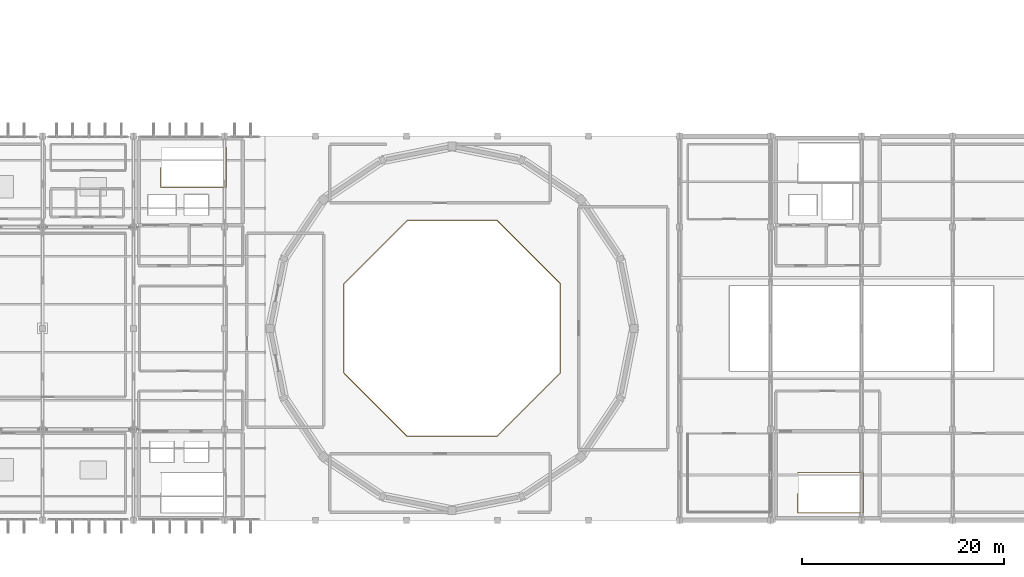
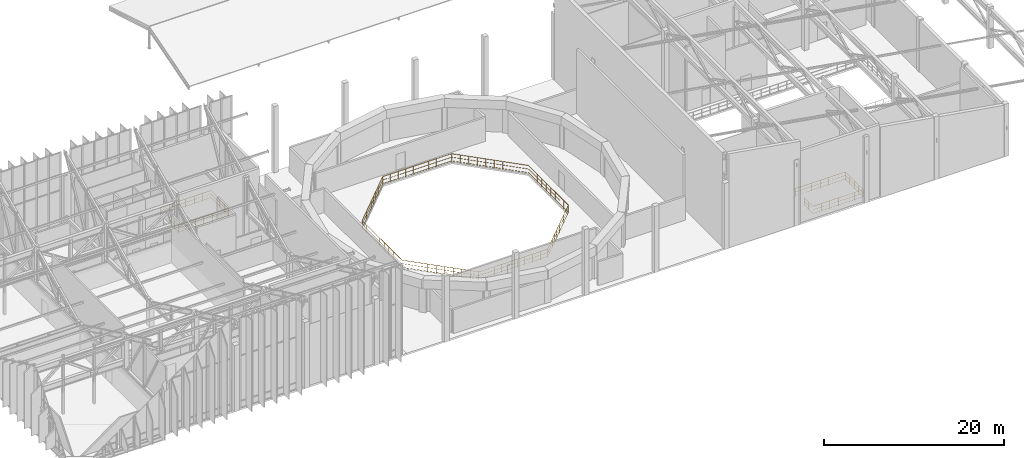
# One storey, part 67 of 68: 3 railings.
"""IFC4 building model written with IfcOpenShell, lengths in metres."""

import ifcopenshell
import ifcopenshell.guid

model = None  # the IFC model being written
_history = None  # IfcOwnerHistory: only IFC2X3 demands one
_inside = {}  # id of a spatial element -> (the spatial element, [elements in it])
_under = {}  # id of a project, library or spatial element -> (it, [spatial elements below it])
_declared = {}  # id of a project -> (the project, [libraries it declares])
_typed = {}  # id of a type object -> (the type object, [elements of that type])
_made_of = {}  # id of a material, layer set ... -> (it, [elements and type objects made of it])


def new_model(schema):
    """Start an empty IFC model of exactly this schema.

    Asked for "IFC4X3", IfcOpenShell would pick the latest addendum, in which some entities
    have other attributes; the version numbers below select the first issue.
    IFC2X3 requires an IfcOwnerHistory on every rooted entity: one is made here for all.
    """
    global model, _history
    if schema == "IFC4X3":
        model = ifcopenshell.file(schema_version=(4, 3, 0, 0))
    else:
        model = ifcopenshell.file(schema=schema)
    _inside.clear()
    _under.clear()
    _declared.clear()
    _typed.clear()
    _made_of.clear()
    _history = None
    if model.schema == "IFC2X3":
        org = make("IfcOrganization", Name="unknown")
        user = make(
            "IfcPersonAndOrganization",
            ThePerson=make("IfcPerson", FamilyName="unknown"),
            TheOrganization=org,
        )
        app = make(
            "IfcApplication",
            ApplicationDeveloper=org,
            Version="unknown",
            ApplicationFullName="unknown",
            ApplicationIdentifier="unknown",
        )
        _history = make(
            "IfcOwnerHistory",
            OwningUser=user,
            OwningApplication=app,
            ChangeAction="ADDED",
            CreationDate=0,
        )
    return model


def make(cls, **values):
    """One entity of the class cls with the attributes given. An attribute that is None is left unset."""
    return model.create_entity(
        cls, **{name: value for name, value in values.items() if value is not None}
    )


def rooted(cls, **values):
    """An entity with a GlobalId (a new one), such as an element, a storey or a relation."""
    return make(cls, GlobalId=ifcopenshell.guid.new(), OwnerHistory=_history, **values)


def si_unit(unit_type, name, prefix=None):
    """IfcSIUnit, for example si_unit("LENGTHUNIT", "METRE", prefix="MILLI")."""
    return make("IfcSIUnit", UnitType=unit_type, Prefix=prefix, Name=name)


def assignment(units):
    """IfcUnitAssignment: the units of a project."""
    return None if units is None else make("IfcUnitAssignment", Units=units)


def point(xyz):
    """IfcCartesianPoint."""
    return None if xyz is None else make("IfcCartesianPoint", Coordinates=xyz)


def direction(xyz):
    """IfcDirection."""
    return None if xyz is None else make("IfcDirection", DirectionRatios=xyz)


def frame(location, z_axis=None, x_axis=None):
    """IfcAxis2Placement3D, a coordinate frame: its origin and axes. An axis left out is left unset."""
    return make(
        "IfcAxis2Placement3D",
        Location=point(location),
        Axis=direction(z_axis),
        RefDirection=direction(x_axis),
    )


def frame_2d(location, x_axis=None):
    """IfcAxis2Placement2D, a coordinate frame in the plane: its origin and x axis."""
    return make(
        "IfcAxis2Placement2D", Location=point(location), RefDirection=direction(x_axis)
    )


def origin():
    """The frame at (0, 0, 0) with its axes left unset."""
    return frame((0.0, 0.0, 0.0))


def origin_2d():
    """The frame at (0, 0) in the plane with its x axis left unset."""
    return frame_2d((0.0, 0.0))


def place(relative_to, where):
    """IfcLocalPlacement: puts the frame where relative to a parent placement (None: the world)."""
    return make(
        "IfcLocalPlacement", PlacementRelTo=relative_to, RelativePlacement=where
    )


def context(
    kind, dimensions, precision=None, world=None, true_north=None, identifier=None
):
    """IfcGeometricRepresentationContext, for example the 3D "Model" context."""
    return make(
        "IfcGeometricRepresentationContext",
        ContextIdentifier=identifier,
        ContextType=kind,
        CoordinateSpaceDimension=dimensions,
        Precision=precision,
        WorldCoordinateSystem=world,
        TrueNorth=true_north,
    )


def subcontext(parent, identifier, kind, view, scale=None):
    """IfcGeometricRepresentationSubContext, for example "Body" below "Model"."""
    return make(
        "IfcGeometricRepresentationSubContext",
        ContextIdentifier=identifier,
        ContextType=kind,
        ParentContext=parent,
        TargetScale=scale,
        TargetView=view,
    )


def project(units=None, contexts=None):
    """IfcProject with its units and contexts."""
    return rooted(
        "IfcProject",
        Name="project",
        RepresentationContexts=contexts,
        UnitsInContext=assignment(units),
    )


def spatial(cls, under=None, at=None, **own):
    """A site, building, storey or space (cls), placed at a placement, below another one or the project."""
    s = rooted(cls, ObjectPlacement=at, **own)
    if under is not None:
        _under.setdefault(under.id(), (under, []))[1].append(s)
    return s


def profile(cls, at=None, kind="AREA", **sizes):
    """A parametric profile (cls). Its sizes go by their IFC names, for example OverallWidth=200.0."""
    return make(cls, ProfileType=kind, Position=at, **sizes)


def circle(**sizes):
    """IfcCircleProfileDef."""
    return profile("IfcCircleProfileDef", **sizes)


def extrude(swept, where, along, depth):
    """IfcExtrudedAreaSolid: the profile swept, set in the frame where, extruded along a direction by depth."""
    return make(
        "IfcExtrudedAreaSolid",
        SweptArea=swept,
        Position=where,
        ExtrudedDirection=direction(along),
        Depth=depth,
    )


def shape(context_of_items, identifier, shape_type, items):
    """IfcShapeRepresentation: the items that make up one representation, for example the "Body"."""
    return make(
        "IfcShapeRepresentation",
        ContextOfItems=context_of_items,
        RepresentationIdentifier=identifier,
        RepresentationType=shape_type,
        Items=items,
    )


def material(Name=None, Category=None):
    """IfcMaterial."""
    return make("IfcMaterial", Name=Name, Category=Category)


def made_of(thing, what):
    """Note that an element or type object is made of a material, layer set ...; save() writes the relation."""
    if what is not None:
        _made_of.setdefault(what.id(), (what, []))[1].append(thing)
    return thing


def type_object(cls, material=None, **own):
    """A type object (cls), such as IfcWallType, which elements share."""
    return made_of(rooted(cls, **own), material)


def element(
    cls,
    number,
    at=None,
    inside=None,
    cuts=None,
    type_object=None,
    material=None,
    context=None,
    identifier="Body",
    shape_type=None,
    held_by="IfcProductDefinitionShape",
    body=None,
    shapes=None,
    **own,
):
    """One element of the class cls, such as IfcWall. Its Tag is "e" and its number.

    at: its placement. inside: the storey or other place that contains it. cuts: it is an
    opening in that element (IfcRelVoidsElement). A single representation is given by context,
    identifier, shape_type and body (its items); several are given by shapes. held_by: the class
    of the entity that holds the representations. save() writes the other relations.
    """
    e = rooted(cls, Tag="e%d" % number, ObjectPlacement=at, **own)
    if body is not None:
        shapes = [shape(context, identifier, shape_type, body)]
    if shapes is not None:
        e.Representation = make(held_by, Representations=shapes)
    if inside is not None:
        _inside.setdefault(inside.id(), (inside, []))[1].append(e)
    if cuts is not None:
        rooted(
            "IfcRelVoidsElement", RelatingBuildingElement=cuts, RelatedOpeningElement=e
        )
    if type_object is not None:
        _typed.setdefault(type_object.id(), (type_object, []))[1].append(e)
    return made_of(e, material)


def aggregate(whole, parts):
    """IfcRelAggregates: a whole, such as a stair, and the parts it consists of."""
    return rooted("IfcRelAggregates", RelatingObject=whole, RelatedObjects=parts)


def save(model, path):
    """Write the relations noted so far, then the file.

    IfcRelAggregates (storeys below a building ...), IfcRelContainedInSpatialStructure (elements
    in a storey), IfcRelDefinesByType, IfcRelAssociatesMaterial and IfcRelDeclares: one each for
    every whole, place, type object, material and project.
    """
    for whole, parts in _under.values():
        aggregate(whole, parts)
    for where, things in _inside.values():
        rooted(
            "IfcRelContainedInSpatialStructure",
            RelatedElements=things,
            RelatingStructure=where,
        )
    for kind, things in _typed.values():
        rooted("IfcRelDefinesByType", RelatedObjects=things, RelatingType=kind)
    for what, things in _made_of.values():
        rooted("IfcRelAssociatesMaterial", RelatedObjects=things, RelatingMaterial=what)
    for by, libraries in _declared.values():
        rooted("IfcRelDeclares", RelatingContext=by, RelatedDefinitions=libraries)
    model.write(path)


model = new_model("IFC4")

# Units and contexts
model_context = context("Model", 3, precision=1e-05, world=origin(), true_north=direction((0.0, 1.0)))
body_context = subcontext(model_context, "Body", "Model", "MODEL_VIEW")
ifc_project = project(units=[si_unit("LENGTHUNIT", "METRE"), si_unit("AREAUNIT", "SQUARE_METRE"), si_unit("VOLUMEUNIT", "CUBIC_METRE"), si_unit("PLANEANGLEUNIT", "RADIAN"), si_unit("MASSUNIT", "GRAM", prefix="KILO")], contexts=[model_context])

# Site, building, storey
site_placement = place(None, origin())
site = spatial("IfcSite", under=ifc_project, at=site_placement, CompositionType="ELEMENT")
building_placement = place(site_placement, origin())
building = spatial("IfcBuilding", under=site, at=building_placement, Name="Miravela Opera House", CompositionType="ELEMENT")
storey_placement = place(building_placement, frame((0.0, 0.0, 21.760009765625)))
storey = spatial("IfcBuildingStorey", under=building, at=storey_placement, Name="L05", CompositionType="ELEMENT", Elevation=21.760009765625)

# Railings
ifc_material_1 = material(Name="Gilded bronze auditorium tier balustrade")
railing_type_1 = type_object("IfcRailingType", Name="ARC-RAIL-BOWL-BAL", PredefinedType="BALUSTRADE", material=ifc_material_1)
railing_1_placement = place(storey_placement, frame((87.198486328125, 60.431396484375, 0.0)))
element("IfcRailing", 1, at=railing_1_placement, inside=storey, type_object=railing_type_1, Name="L05 Void Perimeter Balustrade 0170", PredefinedType="BALUSTRADE", context=body_context, shape_type="SweptSolid", body=[
    extrude(circle(Radius=0.02490234375, at=origin_2d()), frame((0.0, 0.0, 1.09521484375), z_axis=(-0.707106781187, 0.707106781187, 0.0), x_axis=(-0.707106781187, -0.707106781187, 0.0)), (0.0, 0.0, 1.0), 8.863037109375),
    extrude(circle(Radius=0.01611328125, at=origin_2d()), frame((0.0, 0.0, 0.615966796875), z_axis=(-0.707106781187, 0.707106781187, 0.0), x_axis=(-0.707106781187, -0.707106781187, 0.0)), (0.0, 0.0, 1.0), 8.863037109375),
    extrude(circle(Radius=0.01611328125, at=origin_2d()), frame((0.0, 0.0, 0.1201171875), z_axis=(-0.707106781187, 0.707106781187, 0.0), x_axis=(-0.707106781187, -0.707106781187, 0.0)), (0.0, 0.0, 1.0), 8.863037109375),
    extrude(circle(Radius=0.02490234375, at=origin_2d()), frame((-6.26708984375, 6.26708984375, 1.09521484375), z_axis=(-1.0, 0.0, 0.0), x_axis=(0.0, -1.0, 0.0)), (0.0, 0.0, 1.0), 8.86279296875),
    extrude(circle(Radius=0.01611328125, at=origin_2d()), frame((-6.26708984375, 6.26708984375, 0.615966796875), z_axis=(-1.0, 0.0, 0.0), x_axis=(0.0, -1.0, 0.0)), (0.0, 0.0, 1.0), 8.86279296875),
    extrude(circle(Radius=0.01611328125, at=origin_2d()), frame((-6.26708984375, 6.26708984375, 0.1201171875), z_axis=(-1.0, 0.0, 0.0), x_axis=(0.0, -1.0, 0.0)), (0.0, 0.0, 1.0), 8.86279296875),
    extrude(circle(Radius=0.02490234375, at=origin_2d()), frame((-15.1298828125, 6.26708984375, 1.09521484375), z_axis=(-0.707106781187, -0.707106781187, 0.0), x_axis=(0.707106781187, -0.707106781187, 0.0)), (0.0, 0.0, 1.0), 8.863037109375),
    extrude(circle(Radius=0.01611328125, at=origin_2d()), frame((-15.1298828125, 6.26708984375, 0.615966796875), z_axis=(-0.707106781187, -0.707106781187, 0.0), x_axis=(0.707106781187, -0.707106781187, 0.0)), (0.0, 0.0, 1.0), 8.863037109375),
    extrude(circle(Radius=0.01611328125, at=origin_2d()), frame((-15.1298828125, 6.26708984375, 0.1201171875), z_axis=(-0.707106781187, -0.707106781187, 0.0), x_axis=(0.707106781187, -0.707106781187, 0.0)), (0.0, 0.0, 1.0), 8.863037109375),
    extrude(circle(Radius=0.02490234375, at=origin_2d()), frame((-21.39697265625, 0.0, 1.09521484375), z_axis=(0.0, -1.0, 0.0), x_axis=(1.0, 0.0, 0.0)), (0.0, 0.0, 1.0), 8.86279296875),
    extrude(circle(Radius=0.01611328125, at=origin_2d()), frame((-21.39697265625, 0.0, 0.615966796875), z_axis=(0.0, -1.0, 0.0), x_axis=(1.0, 0.0, 0.0)), (0.0, 0.0, 1.0), 8.86279296875),
    extrude(circle(Radius=0.01611328125, at=origin_2d()), frame((-21.39697265625, 0.0, 0.1201171875), z_axis=(0.0, -1.0, 0.0), x_axis=(1.0, 0.0, 0.0)), (0.0, 0.0, 1.0), 8.86279296875),
    extrude(circle(Radius=0.02490234375, at=origin_2d()), frame((-21.39697265625, -8.86279296875, 1.09521484375), z_axis=(0.707106781187, -0.707106781187, 0.0), x_axis=(0.707106781187, 0.707106781187, 0.0)), (0.0, 0.0, 1.0), 8.863037109375),
    extrude(circle(Radius=0.01611328125, at=origin_2d()), frame((-21.39697265625, -8.86279296875, 0.615966796875), z_axis=(0.707106781187, -0.707106781187, 0.0), x_axis=(0.707106781187, 0.707106781187, 0.0)), (0.0, 0.0, 1.0), 8.863037109375),
    extrude(circle(Radius=0.01611328125, at=origin_2d()), frame((-21.39697265625, -8.86279296875, 0.1201171875), z_axis=(0.707106781187, -0.707106781187, 0.0), x_axis=(0.707106781187, 0.707106781187, 0.0)), (0.0, 0.0, 1.0), 8.863037109375),
    extrude(circle(Radius=0.02490234375, at=origin_2d()), frame((-15.1298828125, -15.1298828125, 1.09521484375), z_axis=(1.0, 0.0, 0.0), x_axis=(0.0, 1.0, 0.0)), (0.0, 0.0, 1.0), 8.86279296875),
    extrude(circle(Radius=0.01611328125, at=origin_2d()), frame((-15.1298828125, -15.1298828125, 0.615966796875), z_axis=(1.0, 0.0, 0.0), x_axis=(0.0, 1.0, 0.0)), (0.0, 0.0, 1.0), 8.86279296875),
    extrude(circle(Radius=0.01611328125, at=origin_2d()), frame((-15.1298828125, -15.1298828125, 0.1201171875), z_axis=(1.0, 0.0, 0.0), x_axis=(0.0, 1.0, 0.0)), (0.0, 0.0, 1.0), 8.86279296875),
    extrude(circle(Radius=0.02490234375, at=origin_2d()), frame((-6.26708984375, -15.1298828125, 1.09521484375), z_axis=(0.707106781187, 0.707106781187, 0.0), x_axis=(-0.707106781187, 0.707106781187, 0.0)), (0.0, 0.0, 1.0), 8.863037109375),
    extrude(circle(Radius=0.01611328125, at=origin_2d()), frame((-6.26708984375, -15.1298828125, 0.615966796875), z_axis=(0.707106781187, 0.707106781187, 0.0), x_axis=(-0.707106781187, 0.707106781187, 0.0)), (0.0, 0.0, 1.0), 8.863037109375),
    extrude(circle(Radius=0.01611328125, at=origin_2d()), frame((-6.26708984375, -15.1298828125, 0.1201171875), z_axis=(0.707106781187, 0.707106781187, 0.0), x_axis=(-0.707106781187, 0.707106781187, 0.0)), (0.0, 0.0, 1.0), 8.863037109375),
    extrude(circle(Radius=0.02490234375, at=origin_2d()), frame((0.0, -8.86279296875, 1.09521484375), z_axis=(0.0, 1.0, 0.0), x_axis=(-1.0, 0.0, 0.0)), (0.0, 0.0, 1.0), 8.86279296875),
    extrude(circle(Radius=0.01611328125, at=origin_2d()), frame((0.0, -8.86279296875, 0.615966796875), z_axis=(0.0, 1.0, 0.0), x_axis=(-1.0, 0.0, 0.0)), (0.0, 0.0, 1.0), 8.86279296875),
    extrude(circle(Radius=0.01611328125, at=origin_2d()), frame((0.0, -8.86279296875, 0.1201171875), z_axis=(0.0, 1.0, 0.0), x_axis=(-1.0, 0.0, 0.0)), (0.0, 0.0, 1.0), 8.86279296875),
    extrude(circle(Radius=0.02099609375, at=origin_2d()), origin(), (0.0, 0.0, 1.0), 1.070068359375),
    extrude(circle(Radius=0.02099609375, at=origin_2d()), frame((-0.6962890625, 0.6962890625, 0.0)), (0.0, 0.0, 1.0), 1.070068359375),
    extrude(circle(Radius=0.02099609375, at=origin_2d()), frame((-1.392578125, 1.392578125, 0.0)), (0.0, 0.0, 1.0), 1.070068359375),
    extrude(circle(Radius=0.02099609375, at=origin_2d()), frame((-2.089111328125, 2.089111328125, 0.0)), (0.0, 0.0, 1.0), 1.070068359375),
    extrude(circle(Radius=0.02099609375, at=origin_2d()), frame((-2.785400390625, 2.785400390625, 0.0)), (0.0, 0.0, 1.0), 1.070068359375),
    extrude(circle(Radius=0.02099609375, at=origin_2d()), frame((-3.481689453125, 3.481689453125, 0.0)), (0.0, 0.0, 1.0), 1.070068359375),
    extrude(circle(Radius=0.02099609375, at=origin_2d()), frame((-4.177978515625, 4.177978515625, 0.0)), (0.0, 0.0, 1.0), 1.070068359375),
    extrude(circle(Radius=0.02099609375, at=origin_2d()), frame((-4.87451171875, 4.87451171875, 0.0)), (0.0, 0.0, 1.0), 1.070068359375),
    extrude(circle(Radius=0.02099609375, at=origin_2d()), frame((-5.57080078125, 5.57080078125, 0.0)), (0.0, 0.0, 1.0), 1.070068359375),
    extrude(circle(Radius=0.02099609375, at=origin_2d()), frame((-6.26708984375, 6.26708984375, 0.0)), (0.0, 0.0, 1.0), 1.070068359375),
    extrude(circle(Radius=0.02099609375, at=origin_2d()), frame((-7.251953125, 6.26708984375, 0.0)), (0.0, 0.0, 1.0), 1.070068359375),
    extrude(circle(Radius=0.02099609375, at=origin_2d()), frame((-8.236572265625, 6.26708984375, 0.0)), (0.0, 0.0, 1.0), 1.070068359375),
    extrude(circle(Radius=0.02099609375, at=origin_2d()), frame((-9.221435546875, 6.26708984375, 0.0)), (0.0, 0.0, 1.0), 1.070068359375),
    extrude(circle(Radius=0.02099609375, at=origin_2d()), frame((-10.2060546875, 6.26708984375, 0.0)), (0.0, 0.0, 1.0), 1.070068359375),
    extrude(circle(Radius=0.02099609375, at=origin_2d()), frame((-11.19091796875, 6.26708984375, 0.0)), (0.0, 0.0, 1.0), 1.070068359375),
    extrude(circle(Radius=0.02099609375, at=origin_2d()), frame((-12.175537109375, 6.26708984375, 0.0)), (0.0, 0.0, 1.0), 1.070068359375),
    extrude(circle(Radius=0.02099609375, at=origin_2d()), frame((-13.160400390625, 6.26708984375, 0.0)), (0.0, 0.0, 1.0), 1.070068359375),
    extrude(circle(Radius=0.02099609375, at=origin_2d()), frame((-14.14501953125, 6.26708984375, 0.0)), (0.0, 0.0, 1.0), 1.070068359375),
    extrude(circle(Radius=0.02099609375, at=origin_2d()), frame((-15.1298828125, 6.26708984375, 0.0)), (0.0, 0.0, 1.0), 1.070068359375),
    extrude(circle(Radius=0.02099609375, at=origin_2d()), frame((-15.826171875, 5.57080078125, 0.0)), (0.0, 0.0, 1.0), 1.070068359375),
    extrude(circle(Radius=0.02099609375, at=origin_2d()), frame((-16.5224609375, 4.87451171875, 0.0)), (0.0, 0.0, 1.0), 1.070068359375),
    extrude(circle(Radius=0.02099609375, at=origin_2d()), frame((-17.218994140625, 4.177978515625, 0.0)), (0.0, 0.0, 1.0), 1.070068359375),
    extrude(circle(Radius=0.02099609375, at=origin_2d()), frame((-17.915283203125, 3.481689453125, 0.0)), (0.0, 0.0, 1.0), 1.070068359375),
    extrude(circle(Radius=0.02099609375, at=origin_2d()), frame((-18.611572265625, 2.785400390625, 0.0)), (0.0, 0.0, 1.0), 1.070068359375),
    extrude(circle(Radius=0.02099609375, at=origin_2d()), frame((-19.307861328125, 2.089111328125, 0.0)), (0.0, 0.0, 1.0), 1.070068359375),
    extrude(circle(Radius=0.02099609375, at=origin_2d()), frame((-20.00439453125, 1.392578125, 0.0)), (0.0, 0.0, 1.0), 1.070068359375),
    extrude(circle(Radius=0.02099609375, at=origin_2d()), frame((-20.70068359375, 0.6962890625, 0.0)), (0.0, 0.0, 1.0), 1.070068359375),
    extrude(circle(Radius=0.02099609375, at=origin_2d()), frame((-21.39697265625, 0.0, 0.0)), (0.0, 0.0, 1.0), 1.070068359375),
    extrude(circle(Radius=0.02099609375, at=origin_2d()), frame((-21.39697265625, -0.98486328125, 0.0)), (0.0, 0.0, 1.0), 1.070068359375),
    extrude(circle(Radius=0.02099609375, at=origin_2d()), frame((-21.39697265625, -1.969482421875, 0.0)), (0.0, 0.0, 1.0), 1.070068359375),
    extrude(circle(Radius=0.02099609375, at=origin_2d()), frame((-21.39697265625, -2.954345703125, 0.0)), (0.0, 0.0, 1.0), 1.070068359375),
    extrude(circle(Radius=0.02099609375, at=origin_2d()), frame((-21.39697265625, -3.93896484375, 0.0)), (0.0, 0.0, 1.0), 1.070068359375),
    extrude(circle(Radius=0.02099609375, at=origin_2d()), frame((-21.39697265625, -4.923828125, 0.0)), (0.0, 0.0, 1.0), 1.070068359375),
    extrude(circle(Radius=0.02099609375, at=origin_2d()), frame((-21.39697265625, -5.908447265625, 0.0)), (0.0, 0.0, 1.0), 1.070068359375),
    extrude(circle(Radius=0.02099609375, at=origin_2d()), frame((-21.39697265625, -6.893310546875, 0.0)), (0.0, 0.0, 1.0), 1.070068359375),
    extrude(circle(Radius=0.02099609375, at=origin_2d()), frame((-21.39697265625, -7.8779296875, 0.0)), (0.0, 0.0, 1.0), 1.070068359375),
    extrude(circle(Radius=0.02099609375, at=origin_2d()), frame((-21.39697265625, -8.86279296875, 0.0)), (0.0, 0.0, 1.0), 1.070068359375),
    extrude(circle(Radius=0.02099609375, at=origin_2d()), frame((-20.70068359375, -9.55908203125, 0.0)), (0.0, 0.0, 1.0), 1.070068359375),
    extrude(circle(Radius=0.02099609375, at=origin_2d()), frame((-20.00439453125, -10.25537109375, 0.0)), (0.0, 0.0, 1.0), 1.070068359375),
    extrude(circle(Radius=0.02099609375, at=origin_2d()), frame((-19.307861328125, -10.951904296875, 0.0)), (0.0, 0.0, 1.0), 1.070068359375),
    extrude(circle(Radius=0.02099609375, at=origin_2d()), frame((-18.611572265625, -11.648193359375, 0.0)), (0.0, 0.0, 1.0), 1.070068359375),
    extrude(circle(Radius=0.02099609375, at=origin_2d()), frame((-17.915283203125, -12.344482421875, 0.0)), (0.0, 0.0, 1.0), 1.070068359375),
    extrude(circle(Radius=0.02099609375, at=origin_2d()), frame((-17.218994140625, -13.040771484375, 0.0)), (0.0, 0.0, 1.0), 1.070068359375),
    extrude(circle(Radius=0.02099609375, at=origin_2d()), frame((-16.5224609375, -13.7373046875, 0.0)), (0.0, 0.0, 1.0), 1.070068359375),
    extrude(circle(Radius=0.02099609375, at=origin_2d()), frame((-15.826171875, -14.43359375, 0.0)), (0.0, 0.0, 1.0), 1.070068359375),
    extrude(circle(Radius=0.02099609375, at=origin_2d()), frame((-15.1298828125, -15.1298828125, 0.0)), (0.0, 0.0, 1.0), 1.070068359375),
    extrude(circle(Radius=0.02099609375, at=origin_2d()), frame((-14.14501953125, -15.1298828125, 0.0)), (0.0, 0.0, 1.0), 1.070068359375),
    extrude(circle(Radius=0.02099609375, at=origin_2d()), frame((-13.160400390625, -15.1298828125, 0.0)), (0.0, 0.0, 1.0), 1.070068359375),
    extrude(circle(Radius=0.02099609375, at=origin_2d()), frame((-12.175537109375, -15.1298828125, 0.0)), (0.0, 0.0, 1.0), 1.070068359375),
    extrude(circle(Radius=0.02099609375, at=origin_2d()), frame((-11.19091796875, -15.1298828125, 0.0)), (0.0, 0.0, 1.0), 1.070068359375),
    extrude(circle(Radius=0.02099609375, at=origin_2d()), frame((-10.2060546875, -15.1298828125, 0.0)), (0.0, 0.0, 1.0), 1.070068359375),
    extrude(circle(Radius=0.02099609375, at=origin_2d()), frame((-9.221435546875, -15.1298828125, 0.0)), (0.0, 0.0, 1.0), 1.070068359375),
    extrude(circle(Radius=0.02099609375, at=origin_2d()), frame((-8.236572265625, -15.1298828125, 0.0)), (0.0, 0.0, 1.0), 1.070068359375),
    extrude(circle(Radius=0.02099609375, at=origin_2d()), frame((-7.251953125, -15.1298828125, 0.0)), (0.0, 0.0, 1.0), 1.070068359375),
    extrude(circle(Radius=0.02099609375, at=origin_2d()), frame((-6.26708984375, -15.1298828125, 0.0)), (0.0, 0.0, 1.0), 1.070068359375),
    extrude(circle(Radius=0.02099609375, at=origin_2d()), frame((-5.57080078125, -14.43359375, 0.0)), (0.0, 0.0, 1.0), 1.070068359375),
    extrude(circle(Radius=0.02099609375, at=origin_2d()), frame((-4.87451171875, -13.7373046875, 0.0)), (0.0, 0.0, 1.0), 1.070068359375),
    extrude(circle(Radius=0.02099609375, at=origin_2d()), frame((-4.177978515625, -13.040771484375, 0.0)), (0.0, 0.0, 1.0), 1.070068359375),
    extrude(circle(Radius=0.02099609375, at=origin_2d()), frame((-3.481689453125, -12.344482421875, 0.0)), (0.0, 0.0, 1.0), 1.070068359375),
    extrude(circle(Radius=0.02099609375, at=origin_2d()), frame((-2.785400390625, -11.648193359375, 0.0)), (0.0, 0.0, 1.0), 1.070068359375),
    extrude(circle(Radius=0.02099609375, at=origin_2d()), frame((-2.089111328125, -10.951904296875, 0.0)), (0.0, 0.0, 1.0), 1.070068359375),
    extrude(circle(Radius=0.02099609375, at=origin_2d()), frame((-1.392578125, -10.25537109375, 0.0)), (0.0, 0.0, 1.0), 1.070068359375),
    extrude(circle(Radius=0.02099609375, at=origin_2d()), frame((-0.6962890625, -9.55908203125, 0.0)), (0.0, 0.0, 1.0), 1.070068359375),
    extrude(circle(Radius=0.02099609375, at=origin_2d()), frame((0.0, -8.86279296875, 0.0)), (0.0, 0.0, 1.0), 1.070068359375),
    extrude(circle(Radius=0.02099609375, at=origin_2d()), frame((0.0, -7.8779296875, 0.0)), (0.0, 0.0, 1.0), 1.070068359375),
    extrude(circle(Radius=0.02099609375, at=origin_2d()), frame((0.0, -6.893310546875, 0.0)), (0.0, 0.0, 1.0), 1.070068359375),
    extrude(circle(Radius=0.02099609375, at=origin_2d()), frame((0.0, -5.908447265625, 0.0)), (0.0, 0.0, 1.0), 1.070068359375),
    extrude(circle(Radius=0.02099609375, at=origin_2d()), frame((0.0, -4.923828125, 0.0)), (0.0, 0.0, 1.0), 1.070068359375),
    extrude(circle(Radius=0.02099609375, at=origin_2d()), frame((0.0, -3.93896484375, 0.0)), (0.0, 0.0, 1.0), 1.070068359375),
    extrude(circle(Radius=0.02099609375, at=origin_2d()), frame((0.0, -2.954345703125, 0.0)), (0.0, 0.0, 1.0), 1.070068359375),
    extrude(circle(Radius=0.02099609375, at=origin_2d()), frame((0.0, -1.969482421875, 0.0)), (0.0, 0.0, 1.0), 1.070068359375),
    extrude(circle(Radius=0.02099609375, at=origin_2d()), frame((0.0, -0.98486328125, 0.0)), (0.0, 0.0, 1.0), 1.070068359375),
])
ifc_material_2 = material(Name="Painted wrought-iron stair guardrail")
railing_type_2 = type_object("IfcRailingType", Name="ARC-RAIL-STAIR-GUARD", PredefinedType="GUARDRAIL", material=ifc_material_2)
railing_2_placement = place(storey_placement, frame((47.68994140625, 71.8701171875, 0.0)))
element("IfcRailing", 2, at=railing_2_placement, inside=storey, type_object=railing_type_2, Name="Stair ST-01 Well Slab Opening Guard (L05) 0012", PredefinedType="GUARDRAIL", context=body_context, shape_type="SweptSolid", body=[
    extrude(circle(Radius=0.02392578125, at=origin_2d()), frame((0.0, 0.0, 1.076171875), z_axis=(0.0, -1.0, 0.0), x_axis=(1.0, 0.0, 0.0)), (0.0, 0.0, 1.0), 1.920166015625),
    extrude(circle(Radius=0.01611328125, at=origin_2d()), frame((0.0, 0.0, 0.60498046875), z_axis=(0.0, -1.0, 0.0), x_axis=(1.0, 0.0, 0.0)), (0.0, 0.0, 1.0), 1.920166015625),
    extrude(circle(Radius=0.01611328125, at=origin_2d()), frame((0.0, 0.0, 0.1201171875), z_axis=(0.0, -1.0, 0.0), x_axis=(1.0, 0.0, 0.0)), (0.0, 0.0, 1.0), 1.920166015625),
    extrude(circle(Radius=0.02392578125, at=origin_2d()), frame((0.0, -1.920166015625, 1.076171875), z_axis=(1.0, 0.0, 0.0), x_axis=(0.0, 1.0, 0.0)), (0.0, 0.0, 1.0), 6.4599609375),
    extrude(circle(Radius=0.01611328125, at=origin_2d()), frame((0.0, -1.920166015625, 0.60498046875), z_axis=(1.0, 0.0, 0.0), x_axis=(0.0, 1.0, 0.0)), (0.0, 0.0, 1.0), 6.4599609375),
    extrude(circle(Radius=0.01611328125, at=origin_2d()), frame((0.0, -1.920166015625, 0.1201171875), z_axis=(1.0, 0.0, 0.0), x_axis=(0.0, 1.0, 0.0)), (0.0, 0.0, 1.0), 6.4599609375),
    extrude(circle(Radius=0.02392578125, at=origin_2d()), frame((6.4599609375, -1.920166015625, 1.076171875), z_axis=(0.0, 1.0, 0.0), x_axis=(-1.0, 0.0, 0.0)), (0.0, 0.0, 1.0), 3.97998046875),
    extrude(circle(Radius=0.01611328125, at=origin_2d()), frame((6.4599609375, -1.920166015625, 0.60498046875), z_axis=(0.0, 1.0, 0.0), x_axis=(-1.0, 0.0, 0.0)), (0.0, 0.0, 1.0), 3.97998046875),
    extrude(circle(Radius=0.01611328125, at=origin_2d()), frame((6.4599609375, -1.920166015625, 0.1201171875), z_axis=(0.0, 1.0, 0.0), x_axis=(-1.0, 0.0, 0.0)), (0.0, 0.0, 1.0), 3.97998046875),
    extrude(circle(Radius=0.02392578125, at=origin_2d()), frame((6.4599609375, 2.059814453125, 1.076171875), z_axis=(-1.0, 0.0, 0.0), x_axis=(0.0, -1.0, 0.0)), (0.0, 0.0, 1.0), 6.4599609375),
    extrude(circle(Radius=0.01611328125, at=origin_2d()), frame((6.4599609375, 2.059814453125, 0.60498046875), z_axis=(-1.0, 0.0, 0.0), x_axis=(0.0, -1.0, 0.0)), (0.0, 0.0, 1.0), 6.4599609375),
    extrude(circle(Radius=0.01611328125, at=origin_2d()), frame((6.4599609375, 2.059814453125, 0.1201171875), z_axis=(-1.0, 0.0, 0.0), x_axis=(0.0, -1.0, 0.0)), (0.0, 0.0, 1.0), 6.4599609375),
    extrude(circle(Radius=0.02099609375, at=origin_2d()), origin(), (0.0, 0.0, 1.0), 1.052001953125),
    extrude(circle(Radius=0.02099609375, at=origin_2d()), frame((0.0, -0.9599609375, 0.0)), (0.0, 0.0, 1.0), 1.052001953125),
    extrude(circle(Radius=0.02099609375, at=origin_2d()), frame((0.0, -1.920166015625, 0.0)), (0.0, 0.0, 1.0), 1.052001953125),
    extrude(circle(Radius=0.02099609375, at=origin_2d()), frame((1.07666015625, -1.920166015625, 0.0)), (0.0, 0.0, 1.0), 1.052001953125),
    extrude(circle(Radius=0.02099609375, at=origin_2d()), frame((2.1533203125, -1.920166015625, 0.0)), (0.0, 0.0, 1.0), 1.052001953125),
    extrude(circle(Radius=0.02099609375, at=origin_2d()), frame((3.22998046875, -1.920166015625, 0.0)), (0.0, 0.0, 1.0), 1.052001953125),
    extrude(circle(Radius=0.02099609375, at=origin_2d()), frame((4.306640625, -1.920166015625, 0.0)), (0.0, 0.0, 1.0), 1.052001953125),
    extrude(circle(Radius=0.02099609375, at=origin_2d()), frame((5.38330078125, -1.920166015625, 0.0)), (0.0, 0.0, 1.0), 1.052001953125),
    extrude(circle(Radius=0.02099609375, at=origin_2d()), frame((6.4599609375, -1.920166015625, 0.0)), (0.0, 0.0, 1.0), 1.052001953125),
    extrude(circle(Radius=0.02099609375, at=origin_2d()), frame((6.4599609375, -0.92529296875, 0.0)), (0.0, 0.0, 1.0), 1.052001953125),
    extrude(circle(Radius=0.02099609375, at=origin_2d()), frame((6.4599609375, 0.06982421875, 0.0)), (0.0, 0.0, 1.0), 1.052001953125),
    extrude(circle(Radius=0.02099609375, at=origin_2d()), frame((6.4599609375, 1.06494140625, 0.0)), (0.0, 0.0, 1.0), 1.052001953125),
    extrude(circle(Radius=0.02099609375, at=origin_2d()), frame((6.4599609375, 2.059814453125, 0.0)), (0.0, 0.0, 1.0), 1.052001953125),
    extrude(circle(Radius=0.02099609375, at=origin_2d()), frame((5.38330078125, 2.059814453125, 0.0)), (0.0, 0.0, 1.0), 1.052001953125),
    extrude(circle(Radius=0.02099609375, at=origin_2d()), frame((4.306640625, 2.059814453125, 0.0)), (0.0, 0.0, 1.0), 1.052001953125),
    extrude(circle(Radius=0.02099609375, at=origin_2d()), frame((3.22998046875, 2.059814453125, 0.0)), (0.0, 0.0, 1.0), 1.052001953125),
    extrude(circle(Radius=0.02099609375, at=origin_2d()), frame((2.1533203125, 2.059814453125, 0.0)), (0.0, 0.0, 1.0), 1.052001953125),
    extrude(circle(Radius=0.02099609375, at=origin_2d()), frame((1.07666015625, 2.059814453125, 0.0)), (0.0, 0.0, 1.0), 1.052001953125),
    extrude(circle(Radius=0.02099609375, at=origin_2d()), frame((0.0, 2.059814453125, 0.0)), (0.0, 0.0, 1.0), 1.052001953125),
])
railing_3_placement = place(storey_placement, frame((110.68994140625, 39.669921875, 0.0)))
element("IfcRailing", 3, at=railing_3_placement, inside=storey, type_object=railing_type_2, Name="Stair ST-04 Well Slab Opening Guard (L05) 0048", PredefinedType="GUARDRAIL", context=body_context, shape_type="SweptSolid", body=[
    extrude(circle(Radius=0.02392578125, at=origin_2d()), frame((0.0, 0.0, 1.076171875), z_axis=(0.0, -1.0, 0.0), x_axis=(1.0, 0.0, 0.0)), (0.0, 0.0, 1.0), 1.919921875),
    extrude(circle(Radius=0.01611328125, at=origin_2d()), frame((0.0, 0.0, 0.60498046875), z_axis=(0.0, -1.0, 0.0), x_axis=(1.0, 0.0, 0.0)), (0.0, 0.0, 1.0), 1.919921875),
    extrude(circle(Radius=0.01611328125, at=origin_2d()), frame((0.0, 0.0, 0.1201171875), z_axis=(0.0, -1.0, 0.0), x_axis=(1.0, 0.0, 0.0)), (0.0, 0.0, 1.0), 1.919921875),
    extrude(circle(Radius=0.02392578125, at=origin_2d()), frame((0.0, -1.919921875, 1.076171875), z_axis=(1.0, 0.0, 0.0), x_axis=(0.0, 1.0, 0.0)), (0.0, 0.0, 1.0), 6.4599609375),
    extrude(circle(Radius=0.01611328125, at=origin_2d()), frame((0.0, -1.919921875, 0.60498046875), z_axis=(1.0, 0.0, 0.0), x_axis=(0.0, 1.0, 0.0)), (0.0, 0.0, 1.0), 6.4599609375),
    extrude(circle(Radius=0.01611328125, at=origin_2d()), frame((0.0, -1.919921875, 0.1201171875), z_axis=(1.0, 0.0, 0.0), x_axis=(0.0, 1.0, 0.0)), (0.0, 0.0, 1.0), 6.4599609375),
    extrude(circle(Radius=0.02392578125, at=origin_2d()), frame((6.4599609375, -1.919921875, 1.076171875), z_axis=(0.0, 1.0, 0.0), x_axis=(-1.0, 0.0, 0.0)), (0.0, 0.0, 1.0), 3.97998046875),
    extrude(circle(Radius=0.01611328125, at=origin_2d()), frame((6.4599609375, -1.919921875, 0.60498046875), z_axis=(0.0, 1.0, 0.0), x_axis=(-1.0, 0.0, 0.0)), (0.0, 0.0, 1.0), 3.97998046875),
    extrude(circle(Radius=0.01611328125, at=origin_2d()), frame((6.4599609375, -1.919921875, 0.1201171875), z_axis=(0.0, 1.0, 0.0), x_axis=(-1.0, 0.0, 0.0)), (0.0, 0.0, 1.0), 3.97998046875),
    extrude(circle(Radius=0.02392578125, at=origin_2d()), frame((6.4599609375, 2.06005859375, 1.076171875), z_axis=(-1.0, 0.0, 0.0), x_axis=(0.0, -1.0, 0.0)), (0.0, 0.0, 1.0), 6.4599609375),
    extrude(circle(Radius=0.01611328125, at=origin_2d()), frame((6.4599609375, 2.06005859375, 0.60498046875), z_axis=(-1.0, 0.0, 0.0), x_axis=(0.0, -1.0, 0.0)), (0.0, 0.0, 1.0), 6.4599609375),
    extrude(circle(Radius=0.01611328125, at=origin_2d()), frame((6.4599609375, 2.06005859375, 0.1201171875), z_axis=(-1.0, 0.0, 0.0), x_axis=(0.0, -1.0, 0.0)), (0.0, 0.0, 1.0), 6.4599609375),
    extrude(circle(Radius=0.02099609375, at=origin_2d()), origin(), (0.0, 0.0, 1.0), 1.052001953125),
    extrude(circle(Radius=0.02099609375, at=origin_2d()), frame((0.0, -0.9599609375, 0.0)), (0.0, 0.0, 1.0), 1.052001953125),
    extrude(circle(Radius=0.02099609375, at=origin_2d()), frame((0.0, -1.919921875, 0.0)), (0.0, 0.0, 1.0), 1.052001953125),
    extrude(circle(Radius=0.02099609375, at=origin_2d()), frame((1.07666015625, -1.919921875, 0.0)), (0.0, 0.0, 1.0), 1.052001953125),
    extrude(circle(Radius=0.02099609375, at=origin_2d()), frame((2.1533203125, -1.919921875, 0.0)), (0.0, 0.0, 1.0), 1.052001953125),
    extrude(circle(Radius=0.02099609375, at=origin_2d()), frame((3.22998046875, -1.919921875, 0.0)), (0.0, 0.0, 1.0), 1.052001953125),
    extrude(circle(Radius=0.02099609375, at=origin_2d()), frame((4.306640625, -1.919921875, 0.0)), (0.0, 0.0, 1.0), 1.052001953125),
    extrude(circle(Radius=0.02099609375, at=origin_2d()), frame((5.38330078125, -1.919921875, 0.0)), (0.0, 0.0, 1.0), 1.052001953125),
    extrude(circle(Radius=0.02099609375, at=origin_2d()), frame((6.4599609375, -1.919921875, 0.0)), (0.0, 0.0, 1.0), 1.052001953125),
    extrude(circle(Radius=0.02099609375, at=origin_2d()), frame((6.4599609375, -0.9248046875, 0.0)), (0.0, 0.0, 1.0), 1.052001953125),
    extrude(circle(Radius=0.02099609375, at=origin_2d()), frame((6.4599609375, 0.070068359375, 0.0)), (0.0, 0.0, 1.0), 1.052001953125),
    extrude(circle(Radius=0.02099609375, at=origin_2d()), frame((6.4599609375, 1.06494140625, 0.0)), (0.0, 0.0, 1.0), 1.052001953125),
    extrude(circle(Radius=0.02099609375, at=origin_2d()), frame((6.4599609375, 2.06005859375, 0.0)), (0.0, 0.0, 1.0), 1.052001953125),
    extrude(circle(Radius=0.02099609375, at=origin_2d()), frame((5.38330078125, 2.06005859375, 0.0)), (0.0, 0.0, 1.0), 1.052001953125),
    extrude(circle(Radius=0.02099609375, at=origin_2d()), frame((4.306640625, 2.06005859375, 0.0)), (0.0, 0.0, 1.0), 1.052001953125),
    extrude(circle(Radius=0.02099609375, at=origin_2d()), frame((3.22998046875, 2.06005859375, 0.0)), (0.0, 0.0, 1.0), 1.052001953125),
    extrude(circle(Radius=0.02099609375, at=origin_2d()), frame((2.1533203125, 2.06005859375, 0.0)), (0.0, 0.0, 1.0), 1.052001953125),
    extrude(circle(Radius=0.02099609375, at=origin_2d()), frame((1.07666015625, 2.06005859375, 0.0)), (0.0, 0.0, 1.0), 1.052001953125),
    extrude(circle(Radius=0.02099609375, at=origin_2d()), frame((0.0, 2.06005859375, 0.0)), (0.0, 0.0, 1.0), 1.052001953125),
])

save(model, "model.ifc")
